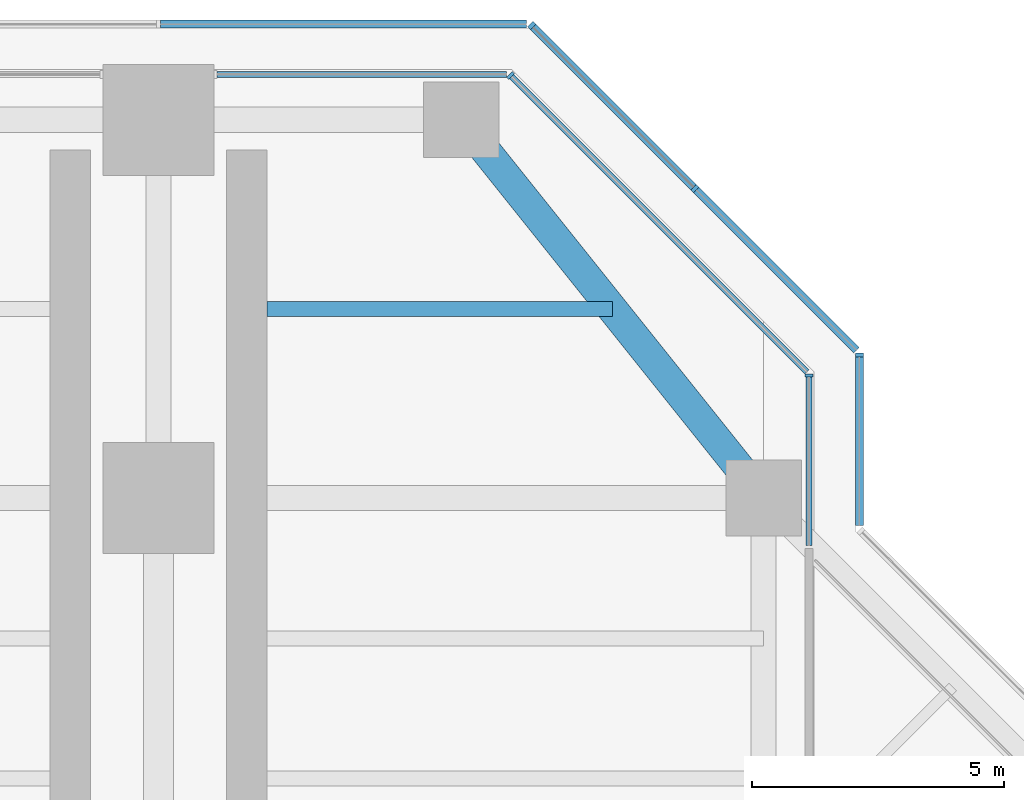
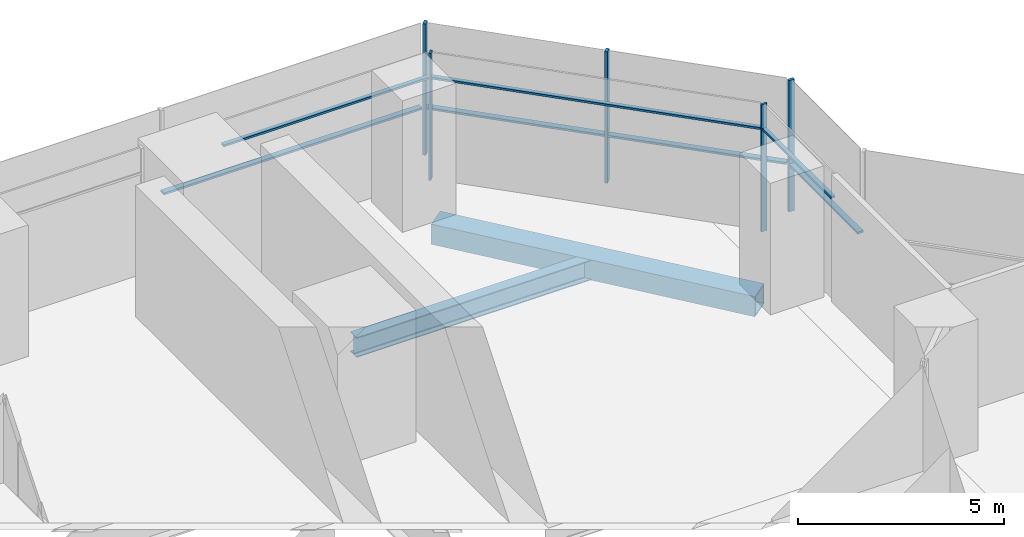
# One storey, part 9 of 17: 12 members, 2 beams, 6 elements without a shape of their own.
"""IFC4 building model written with IfcOpenShell, lengths in metres."""

from ifc_helpers import new_model, si_unit, direction, frame, origin, origin_2d, place, context, subcontext, project, spatial, rectangle, hollow_rectangle, i_section, extrude, material, material_profile, profile_set, type_object, element, aggregate, save


model = new_model("IFC4")

# Units and contexts
model_context = context("Model", 3, precision=1e-05, world=origin(), true_north=direction((0.0, 1.0)))
body_context = subcontext(model_context, "Body", "Model", "MODEL_VIEW")
ifc_project = project(units=[si_unit("LENGTHUNIT", "METRE"), si_unit("AREAUNIT", "SQUARE_METRE"), si_unit("VOLUMEUNIT", "CUBIC_METRE"), si_unit("PLANEANGLEUNIT", "RADIAN"), si_unit("MASSUNIT", "GRAM", prefix="KILO")], contexts=[model_context])

# Site, building, storey
site_placement = place(None, origin())
site = spatial("IfcSite", under=ifc_project, at=site_placement, CompositionType="ELEMENT")
building_placement = place(site_placement, origin())
building = spatial("IfcBuilding", under=site, at=building_placement, Name="Mizan Broadcast Tower", CompositionType="ELEMENT")
storey_placement = place(building_placement, frame((0.0, 0.0, 240.0)))
storey = spatial("IfcBuildingStorey", under=building, at=storey_placement, Name="L56", CompositionType="ELEMENT", Elevation=240.0)

# Beam
ifc_material_1 = material(Name="Steel S355", Category="steel")
ifc_material_profile_1 = material_profile(ifc_material_1, hollow_rectangle(XDim=0.60009765625, YDim=0.60009765625, WallThickness=0.030029296875, at=origin_2d()), Name="BOX 600x600x30")
ifc_profile_set_1 = profile_set([ifc_material_profile_1], Name="Steel S355")
beam_type_1 = type_object("IfcBeamType", Name="EDGE BEAM BOX 600x600x30", PredefinedType="SPANDREL", material=ifc_profile_set_1)
beam_1_placement = place(storey_placement, frame((11.639892578125, 19.949951171875, -0.429931640625), z_axis=(-0.624673911726, 0.780885717636, 0.0), x_axis=(-0.780885717636, -0.624673911726, 0.0)))
element("IfcBeam", 1, at=beam_1_placement, inside=storey, type_object=beam_type_1, Name="Edge beam BOX 600x600x30 L56 north arm", PredefinedType="SPANDREL", context=body_context, shape_type="SweptSolid", body=[
    extrude(hollow_rectangle(XDim=0.60009765625, YDim=0.60009765625, WallThickness=0.030029296875, at=origin_2d()), origin(), (0.0, 0.0, 1.0), 8.4521484375),
])

# Curtain wall, member
ifc_material_2 = material(Name="Aluminium framed glazing", Category="aluminium")
curtain_wall_type_1 = type_object("IfcCurtainWallType", Name="INNER SKIN HIGH ZONE", PredefinedType="USERDEFINED", material=ifc_material_2)
curtain_wall_1_placement = place(storey_placement, origin())
curtain_wall_1 = element("IfcCurtainWall", 2, at=curtain_wall_1_placement, inside=storey, type_object=curtain_wall_type_1, Name="Inner skin high zone L56 N side", ObjectType="INNER SKIN HIGH ZONE", PredefinedType="USERDEFINED")
ifc_material_3 = material(Name="Aluminium, pale anodised", Category="aluminium")
ifc_material_profile_2 = material_profile(ifc_material_3, rectangle(XDim=0.159912109375, YDim=0.06005859375, at=origin_2d()), Name="MULLION 160x60")
ifc_profile_set_2 = profile_set([ifc_material_profile_2], Name="Aluminium, pale anodised")
member_type_1 = type_object("IfcMemberType", Name="INNER SKIN MULLION 60x160", PredefinedType="MULLION", material=ifc_profile_set_2)
member_1_placement = place(storey_placement, frame((12.89990234375, 21.928466796875, 0.0), z_axis=(0.0, 0.0, 1.0), x_axis=(-1.0, 0.0, 0.0)))
member_1 = element("IfcMember", 3, at=member_1_placement, type_object=member_type_1, Name="Inner skin high zone L56 N side mullion 2", PredefinedType="MULLION", context=body_context, shape_type="SweptSolid", body=[
    extrude(rectangle(XDim=0.159912109375, YDim=0.06005859375, at=origin_2d()), origin(), (0.0, 0.0, 1.0), 3.77001953125),
])

curtain_wall_2_placement = place(storey_placement, origin())
curtain_wall_2 = element("IfcCurtainWall", 4, at=curtain_wall_2_placement, inside=storey, type_object=curtain_wall_type_1, Name="Inner skin high zone L56 N chamfer", ObjectType="INNER SKIN HIGH ZONE", PredefinedType="USERDEFINED")
member_2_placement = place(storey_placement, frame((6.979736328125, 27.87890625, 0.0), z_axis=(0.0, 0.0, 1.0), x_axis=(-0.707106781187, -0.707106781187, 0.0)))
member_2 = element("IfcMember", 5, at=member_2_placement, type_object=member_type_1, Name="Inner skin high zone L56 N chamfer mullion 2", PredefinedType="MULLION", context=body_context, shape_type="SweptSolid", body=[
    extrude(rectangle(XDim=0.159912109375, YDim=0.06005859375, at=origin_2d()), origin(), (0.0, 0.0, 1.0), 3.77001953125),
])

# Member
ifc_material_4 = material(Name="Aluminium, pale anodised", Category="aluminium")
ifc_material_profile_3 = material_profile(ifc_material_4, rectangle(XDim=0.1201171875, YDim=0.06005859375, at=origin_2d()), Name="TRANSOM 120x60")
ifc_profile_set_3 = profile_set([ifc_material_profile_3], Name="Aluminium, pale anodised")
member_type_2 = type_object("IfcMemberType", Name="INNER SKIN TRANSOM 60x120", PredefinedType="USERDEFINED", material=ifc_profile_set_3)
member_3_placement = place(storey_placement, frame((12.89990234375, 18.56005859375, 3.030029296875), z_axis=(0.0, 1.0, 0.0), x_axis=(-1.0, 0.0, 0.0)))
member_3 = element("IfcMember", 6, at=member_3_placement, type_object=member_type_2, Name="Inner skin high zone L56 N side transom 1.1", ObjectType="TRANSOM", PredefinedType="USERDEFINED", context=body_context, shape_type="SweptSolid", body=[
    extrude(rectangle(XDim=0.1201171875, YDim=0.06005859375, at=origin_2d()), origin(), (0.0, 0.0, 1.0), 3.338623046875),
])

aggregate(curtain_wall_1, [member_1, member_3])

member_4_placement = place(storey_placement, frame((12.857666015625, 22.0009765625, 3.030029296875), z_axis=(-0.707106781187, 0.707106781187, 0.0), x_axis=(-0.707106781187, -0.707106781187, 0.0)))
member_4 = element("IfcMember", 7, at=member_4_placement, type_object=member_type_2, Name="Inner skin high zone L56 N chamfer transom 1.1", ObjectType="TRANSOM", PredefinedType="USERDEFINED", context=body_context, shape_type="SweptSolid", body=[
    extrude(rectangle(XDim=0.1201171875, YDim=0.06005859375, at=origin_2d()), origin(), (0.0, 0.0, 1.0), 8.28271484375),
])

aggregate(curtain_wall_2, [member_2, member_4])

# Curtain wall, member
curtain_wall_3_placement = place(storey_placement, origin())
curtain_wall_3 = element("IfcCurtainWall", 8, at=curtain_wall_3_placement, inside=storey, type_object=curtain_wall_type_1, Name="Inner skin high zone L56 N end", ObjectType="INNER SKIN HIGH ZONE", PredefinedType="USERDEFINED")
member_5_placement = place(storey_placement, frame((6.898681640625, 27.89990234375, 3.030029296875), z_axis=(-1.0, 0.0, 0.0), x_axis=(0.0, -1.0, 0.0)))
member_5 = element("IfcMember", 9, at=member_5_placement, type_object=member_type_2, Name="Inner skin high zone L56 N end transom 1.1", ObjectType="TRANSOM", PredefinedType="USERDEFINED", context=body_context, shape_type="SweptSolid", body=[
    extrude(rectangle(XDim=0.1201171875, YDim=0.06005859375, at=origin_2d()), origin(), (0.0, 0.0, 1.0), 5.73876953125),
])
aggregate(curtain_wall_3, [member_5])

ifc_material_5 = material(Name="Aluminium framed glazing", Category="aluminium")
curtain_wall_type_2 = type_object("IfcCurtainWallType", Name="OUTER SKIN", PredefinedType="USERDEFINED", material=ifc_material_5)
curtain_wall_4_placement = place(storey_placement, origin())
curtain_wall_4 = element("IfcCurtainWall", 10, at=curtain_wall_4_placement, inside=storey, type_object=curtain_wall_type_2, Name="Outer skin L56 N side", ObjectType="OUTER SKIN", PredefinedType="USERDEFINED")
ifc_material_6 = material(Name="Aluminium, pale anodised", Category="aluminium")
ifc_material_profile_4 = material_profile(ifc_material_6, rectangle(XDim=0.159912109375, YDim=0.080078125, at=origin_2d()), Name="MULLION 160x80")
ifc_profile_set_4 = profile_set([ifc_material_profile_4], Name="Aluminium, pale anodised")
member_type_3 = type_object("IfcMemberType", Name="OUTER SKIN MULLION 80x160", PredefinedType="MULLION", material=ifc_profile_set_4)
member_6_placement = place(storey_placement, frame((13.89990234375, 22.332763671875, 0.0), z_axis=(0.0, 0.0, 1.0), x_axis=(-1.0, 0.0, 0.0)))
member_6 = element("IfcMember", 11, at=member_6_placement, type_object=member_type_3, Name="Outer skin L56 N side mullion 2", PredefinedType="MULLION", context=body_context, shape_type="SweptSolid", body=[
    extrude(rectangle(XDim=0.159912109375, YDim=0.080078125, at=origin_2d()), origin(), (0.0, 0.0, 1.0), 3.89990234375),
])

# Curtain wall, members
curtain_wall_5_placement = place(storey_placement, origin())
curtain_wall_5 = element("IfcCurtainWall", 12, at=curtain_wall_5_placement, inside=storey, type_object=curtain_wall_type_2, Name="Outer skin L56 N chamfer", ObjectType="OUTER SKIN", PredefinedType="USERDEFINED")
member_7_placement = place(storey_placement, frame((10.636474609375, 25.636474609375, 0.0), z_axis=(0.0, 0.0, 1.0), x_axis=(-0.707106781187, -0.707106781187, 0.0)))
member_7 = element("IfcMember", 13, at=member_7_placement, type_object=member_type_3, Name="Outer skin L56 N chamfer mullion 2", PredefinedType="MULLION", context=body_context, shape_type="SweptSolid", body=[
    extrude(rectangle(XDim=0.159912109375, YDim=0.080078125, at=origin_2d()), origin(), (0.0, 0.0, 1.0), 3.89990234375),
])
member_8_placement = place(storey_placement, frame((7.401123046875, 28.871826171875, 0.0), z_axis=(0.0, 0.0, 1.0), x_axis=(-0.707106781187, -0.707106781187, 0.0)))
member_8 = element("IfcMember", 14, at=member_8_placement, type_object=member_type_3, Name="Outer skin L56 N chamfer mullion 3", PredefinedType="MULLION", context=body_context, shape_type="SweptSolid", body=[
    extrude(rectangle(XDim=0.159912109375, YDim=0.080078125, at=origin_2d()), origin(), (0.0, 0.0, 1.0), 3.89990234375),
])

# Member
ifc_material_7 = material(Name="Aluminium, pale anodised", Category="aluminium")
ifc_material_profile_5 = material_profile(ifc_material_7, rectangle(XDim=0.159912109375, YDim=0.06005859375, at=origin_2d()), Name="TRANSOM 160x60")
ifc_profile_set_5 = profile_set([ifc_material_profile_5], Name="Aluminium, pale anodised")
member_type_4 = type_object("IfcMemberType", Name="OUTER SKIN TRANSOM 60x160", PredefinedType="USERDEFINED", material=ifc_profile_set_5)
member_9_placement = place(storey_placement, frame((13.89990234375, 18.952880859375, 1.39990234375), z_axis=(0.0, 1.0, 0.0), x_axis=(-1.0, 0.0, 0.0)))
member_9 = element("IfcMember", 15, at=member_9_placement, type_object=member_type_4, Name="Outer skin L56 N side transom 1.1", ObjectType="TRANSOM", PredefinedType="USERDEFINED", context=body_context, shape_type="SweptSolid", body=[
    extrude(rectangle(XDim=0.159912109375, YDim=0.06005859375, at=origin_2d()), origin(), (0.0, 0.0, 1.0), 3.33984375),
])

aggregate(curtain_wall_4, [member_6, member_9])

member_10_placement = place(storey_placement, frame((13.843505859375, 22.429443359375, 1.39990234375), z_axis=(-0.707106781187, 0.707106781187, 0.0), x_axis=(-0.707106781187, -0.707106781187, 0.0)))
member_10 = element("IfcMember", 16, at=member_10_placement, type_object=member_type_4, Name="Outer skin L56 N chamfer transom 1.1", ObjectType="TRANSOM", PredefinedType="USERDEFINED", context=body_context, shape_type="SweptSolid", body=[
    extrude(rectangle(XDim=0.159912109375, YDim=0.06005859375, at=origin_2d()), origin(), (0.0, 0.0, 1.0), 4.495361328125),
])

member_11_placement = place(storey_placement, frame((10.608154296875, 25.664794921875, 1.39990234375), z_axis=(-0.707106781187, 0.707106781187, 0.0), x_axis=(-0.707106781187, -0.707106781187, 0.0)))
member_11 = element("IfcMember", 17, at=member_11_placement, type_object=member_type_4, Name="Outer skin L56 N chamfer transom 2.1", ObjectType="TRANSOM", PredefinedType="USERDEFINED", context=body_context, shape_type="SweptSolid", body=[
    extrude(rectangle(XDim=0.159912109375, YDim=0.06005859375, at=origin_2d()), origin(), (0.0, 0.0, 1.0), 4.495361328125),
])

aggregate(curtain_wall_5, [member_7, member_8, member_10, member_11])

# Curtain wall, member
curtain_wall_6_placement = place(storey_placement, origin())
curtain_wall_6 = element("IfcCurtainWall", 18, at=curtain_wall_6_placement, inside=storey, type_object=curtain_wall_type_2, Name="Outer skin L56 N end", ObjectType="OUTER SKIN", PredefinedType="USERDEFINED")
member_12_placement = place(storey_placement, frame((7.292724609375, 28.89990234375, 1.39990234375), z_axis=(-1.0, 0.0, 0.0), x_axis=(0.0, -1.0, 0.0)))
member_12 = element("IfcMember", 19, at=member_12_placement, type_object=member_type_4, Name="Outer skin L56 N end transom 1.1", ObjectType="TRANSOM", PredefinedType="USERDEFINED", context=body_context, shape_type="SweptSolid", body=[
    extrude(rectangle(XDim=0.159912109375, YDim=0.06005859375, at=origin_2d()), origin(), (0.0, 0.0, 1.0), 7.252685546875),
])
aggregate(curtain_wall_6, [member_12])

# Beam
ifc_material_8 = material(Name="Steel S355", Category="steel")
ifc_material_profile_6 = material_profile(ifc_material_8, i_section(OverallWidth=0.300048828125, OverallDepth=0.590087890625, WebThickness=0.012939453125, FlangeThickness=0.02490234375, FilletRadius=0.027099609375, at=origin_2d()), Name="HEA 600")
ifc_profile_set_6 = profile_set([ifc_material_profile_6], Name="Steel S355")
beam_type_2 = type_object("IfcBeamType", Name="SECONDARY BEAM HEA 600", PredefinedType="JOIST", material=ifc_profile_set_6)
beam_2_placement = place(storey_placement, frame((9.0, 23.25, -0.425048828125), z_axis=(-1.0, 0.0, 0.0), x_axis=(0.0, -1.0, 0.0)))
element("IfcBeam", 20, at=beam_2_placement, inside=storey, type_object=beam_type_2, Name="Secondary beam HEA 600 L56 north arm", PredefinedType="JOIST", context=body_context, shape_type="SweptSolid", body=[
    extrude(i_section(OverallWidth=0.300048828125, OverallDepth=0.590087890625, WebThickness=0.012939453125, FlangeThickness=0.02490234375, FilletRadius=0.027099609375, at=origin_2d()), origin(), (0.0, 0.0, 1.0), 6.85009765625),
])

save(model, "model.ifc")
